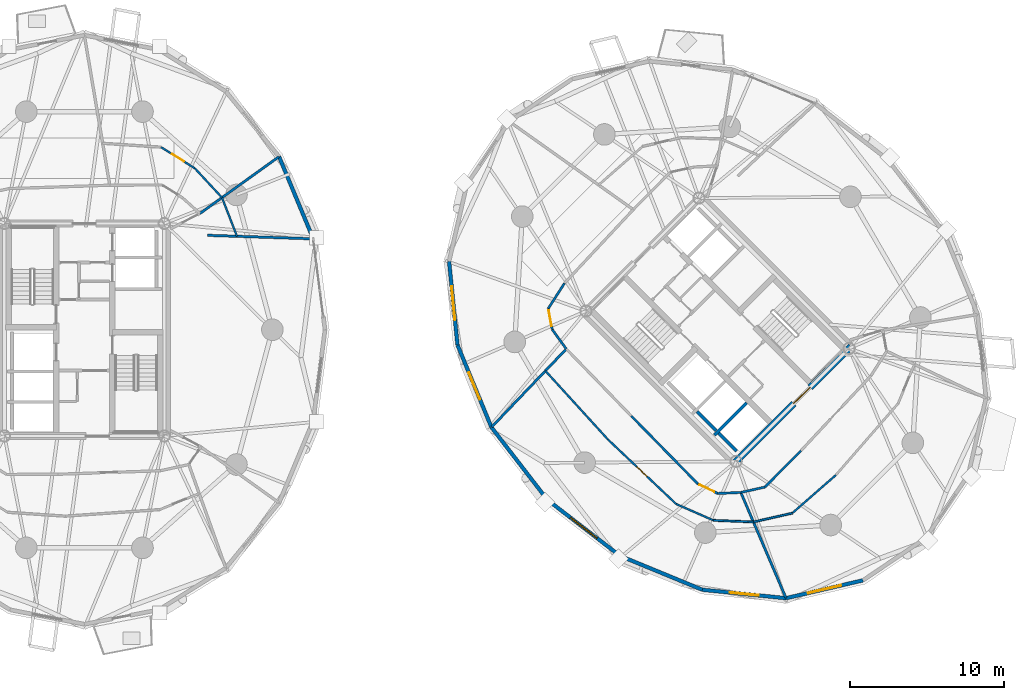
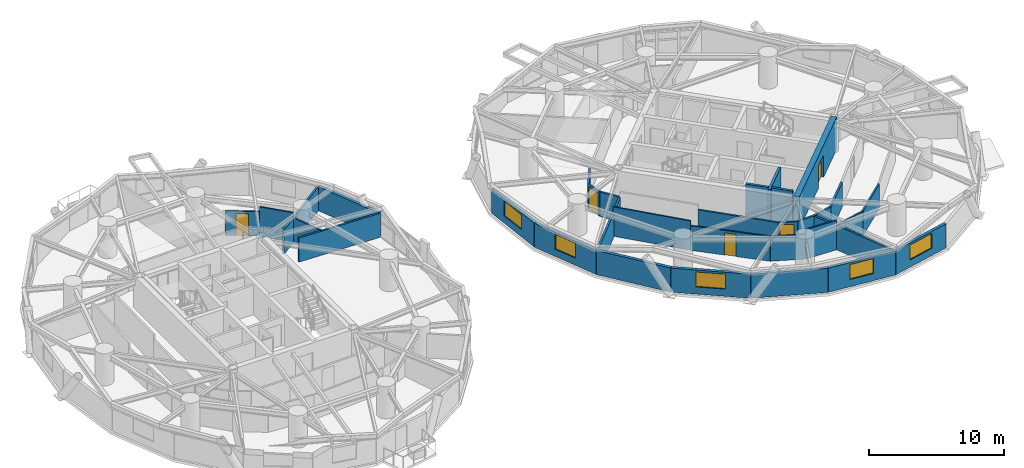
# One storey, part 12 of 18: 33 walls, 5 doors, 5 windows, 10 openings.
"""IFC4 building model written with IfcOpenShell, lengths in metres."""

from ifc_helpers import new_model, si_unit, direction, frame, frame_2d, origin, place, context, subcontext, project, spatial, rectangle, extrude, source, transform, mapped, material, layer, layer_set, type_object, element, fill, save


model = new_model("IFC4")

# Units and contexts
model_context = context("Model", 3, precision=1e-05, world=origin(), true_north=direction((0.0, 1.0)))
body_context = subcontext(model_context, "Body", "Model", "MODEL_VIEW")
ifc_project = project(units=[si_unit("LENGTHUNIT", "METRE"), si_unit("AREAUNIT", "SQUARE_METRE"), si_unit("VOLUMEUNIT", "CUBIC_METRE"), si_unit("PLANEANGLEUNIT", "RADIAN"), si_unit("MASSUNIT", "GRAM", prefix="KILO")], contexts=[model_context])

# Site, building, storey
site_placement = place(None, origin())
site = spatial("IfcSite", under=ifc_project, at=site_placement, CompositionType="ELEMENT")
building_placement = place(site_placement, origin())
building = spatial("IfcBuilding", under=site, at=building_placement, Name="Cununo Teusaquillo Station Towers", CompositionType="ELEMENT")
storey_placement = place(building_placement, frame((0.0, 0.0, 110.889892578125)))
storey = spatial("IfcBuildingStorey", under=building, at=storey_placement, Name="L35", CompositionType="ELEMENT", Elevation=110.889892578125)

# Walls
ifc_material_1 = material(Name="Concrete C50/60", Category="concrete")
ifc_layer_1 = layer(ifc_material_1, 0.199951171875)
ifc_layer_set_1 = layer_set([ifc_layer_1], Name="Concrete C50/60")
wall_type_1 = type_object("IfcWallType", Name="WL-CORE-200", PredefinedType="SHEAR", material=ifc_layer_set_1)
wall_1_placement = place(storey_placement, frame((57.2841796875, 17.6728515625, 0.0), z_axis=(0.0, 0.0, 1.0), x_axis=(0.707147878904, 0.70706568108, 0.0)))
element("IfcWall", 1, at=wall_1_placement, inside=storey, type_object=wall_type_1, Name="L35 Tower B High-Rise Lift Hoistway Divider Shear Wall", PredefinedType="SHEAR", context=body_context, shape_type="SweptSolid", body=[
    extrude(rectangle(XDim=2.97021484375, YDim=0.199951171875, at=frame_2d((1.485107421875, 0.0))), origin(), (0.0, 0.0, 1.0), 2.91015625),
])
wall_2_placement = place(storey_placement, frame((57.41162109375, 17.969970703125, 0.0), z_axis=(0.0, 0.0, 1.0), x_axis=(-0.707106781187, 0.707106781187, 0.0)))
element("IfcWall", 2, at=wall_2_placement, inside=storey, type_object=wall_type_1, Name="L35 Tower B High-Rise Lift 2 Shaft Rear Shear Wall", PredefinedType="SHEAR", context=body_context, shape_type="SweptSolid", body=[
    extrude(rectangle(XDim=1.73486328125, YDim=0.199951171875, at=frame_2d((0.867431640625, 0.0))), origin(), (0.0, 0.0, 1.0), 2.91015625),
])
wall_3_placement = place(storey_placement, frame((58.7373046875, 16.64404296875, 0.0), z_axis=(0.0, 0.0, 1.0), x_axis=(-0.707032117043, 0.707181437447, 0.0)))
element("IfcWall", 3, at=wall_3_placement, inside=storey, type_object=wall_type_1, Name="L35 Tower B High-Rise Lift 1 Shaft Rear Shear Wall", PredefinedType="SHEAR", context=body_context, shape_type="SweptSolid", body=[
    extrude(rectangle(XDim=1.635009765625, YDim=0.199951171875, at=frame_2d((0.8173828125, 0.0))), origin(), (0.0, 0.0, 1.0), 2.91015625),
])

# Wall, opening, door
ifc_material_2 = material(Name="Concrete C60/75", Category="concrete")
ifc_layer_2 = layer(ifc_material_2, 0.449951171875)
ifc_layer_set_2 = layer_set([ifc_layer_2], Name="Concrete C60/75")
wall_type_2 = type_object("IfcWallType", Name="WL-CORE-450", PredefinedType="SHEAR", material=ifc_layer_set_2)
wall_4_placement = place(storey_placement, frame((58.578369140625, 15.855712890625, 0.0), z_axis=(0.0, 0.0, 1.0), x_axis=(0.707106781187, 0.707106781187, 0.0)))
wall_4 = element("IfcWall", 4, at=wall_4_placement, inside=storey, type_object=wall_type_2, Name="L35 Tower B Core Shear Wall S", PredefinedType="SHEAR", context=body_context, shape_type="SweptSolid", body=[
    extrude(rectangle(XDim=10.69970703125, YDim=0.449951171875, at=frame_2d((5.349853515625, 0.0))), origin(), (0.0, 0.0, 1.0), 2.91015625),
])
shared_shape_1 = source(origin(), body_context, "Body", "SweptSolid", [
    extrude(rectangle(XDim=1.5, YDim=2.02001953125, at=frame_2d((0.75, 1.010009765625))), frame((0.0, 0.23486328125, 0.0), z_axis=(0.0, -1.0, 0.0), x_axis=(1.0, 0.0, 0.0)), (0.0, 0.0, 1.0), 0.469970703125),
])
opening_1_placement = place(wall_4_placement, frame((5.449951171875, 0.0, 0.0)))
opening_1 = element("IfcOpeningElement", 5, at=opening_1_placement, cuts=wall_4, Name="Opening D-LB1", PredefinedType="OPENING", context=body_context, shape_type="MappedRepresentation", body=[
    mapped(shared_shape_1, transform((0.0, 0.0, 0.0), x_axis=(1.0, 0.0, 0.0), y_axis=(0.0, 1.0, 0.0), z_axis=(0.0, 0.0, 1.0), scale=1.0)),
])
ifc_material_3 = material(Name="Galvanised fire-rated hollow steel door assembly", Category="steel")
door_type_1 = type_object("IfcDoorType", Name="DR-LOBBY-1500", OperationType="DOUBLE_DOOR_SINGLE_SWING", PredefinedType="DOOR", material=ifc_material_3)
shared_shape_2 = source(origin(), body_context, "Body", "SweptSolid", [
    extrude(rectangle(XDim=1.5, YDim=2.02001953125, at=frame_2d((0.75, 1.010009765625))), frame((0.0, 0.02490234375, 0.0), z_axis=(0.0, -1.0, 0.0), x_axis=(1.0, 0.0, 0.0)), (0.0, 0.0, 1.0), 0.050048828125),
])
door_1_placement = place(opening_1_placement, origin())
door_1 = element("IfcDoor", 6, at=door_1_placement, inside=storey, type_object=door_type_1, Name="L35 Tower B South Core Lift Lobby Door", OperationType="DOUBLE_DOOR_SINGLE_SWING", OverallHeight=2.02001953125, OverallWidth=1.5, PredefinedType="DOOR", context=body_context, shape_type="MappedRepresentation", body=[
    mapped(shared_shape_2, transform((0.0, 0.0, 0.0), x_axis=(1.0, 0.0, 0.0), y_axis=(0.0, 1.0, 0.0), z_axis=(0.0, 0.0, 1.0), scale=1.0)),
])
fill(opening_1, door_1)

# Wall
ifc_material_4 = material(Name="Precast concrete C40/50", Category="concrete")
ifc_layer_3 = layer(ifc_material_4, 0.239990234375)
ifc_layer_set_3 = layer_set([ifc_layer_3], Name="Precast concrete C40/50")
wall_type_3 = type_object("IfcWallType", Name="WL-EXT-240", PredefinedType="SOLIDWALL", material=ifc_layer_set_3)
wall_5_placement = place(storey_placement, frame((29.105224609375, 35.708984375, 0.0), z_axis=(0.0, 0.0, 1.0), x_axis=(0.384344417632, -0.923189779317, 0.0)))
element("IfcWall", 7, at=wall_5_placement, inside=storey, type_object=wall_type_3, Name="L35 Tower A Exterior Facade Wall C01", PredefinedType="SOLIDWALL", context=body_context, shape_type="SweptSolid", body=[
    extrude(rectangle(XDim=5.75830078125, YDim=0.239990234375, at=frame_2d((2.879150390625, 0.0))), origin(), (0.0, 0.0, 1.0), 2.17919921875),
])

# Wall, opening, window
wall_6_placement = place(storey_placement, frame((40.66064453125, 23.5126953125, 0.0), z_axis=(0.0, 0.0, 1.0), x_axis=(-0.10015591906, 0.994971754311, 0.0)))
wall_6 = element("IfcWall", 8, at=wall_6_placement, inside=storey, type_object=wall_type_3, Name="L35 Tower B Exterior Facade Wall C07", PredefinedType="SOLIDWALL", context=body_context, shape_type="SweptSolid", body=[
    extrude(rectangle(XDim=5.447998046875, YDim=0.239990234375, at=frame_2d((2.72412109375, 0.0))), origin(), (0.0, 0.0, 1.0), 2.17919921875),
])
shared_shape_3 = source(origin(), body_context, "Body", "SweptSolid", [
    extrude(rectangle(XDim=2.199951171875, YDim=1.35009765625, at=frame_2d((1.10009765625, 0.675048828125))), frame((0.0, 0.1298828125, 0.0), z_axis=(0.0, -1.0, 0.0), x_axis=(1.0, 0.0, 0.0)), (0.0, 0.0, 1.0), 0.260009765625),
])
opening_2_placement = place(wall_6_placement, frame((1.6240234375, 0.0, 0.64990234375)))
opening_2 = element("IfcOpeningElement", 9, at=opening_2_placement, cuts=wall_6, Name="Opening WN-01", PredefinedType="OPENING", context=body_context, shape_type="MappedRepresentation", body=[
    mapped(shared_shape_3, transform((0.0, 0.0, 0.0), x_axis=(1.0, 0.0, 0.0), y_axis=(0.0, 1.0, 0.0), z_axis=(0.0, 0.0, 1.0), scale=1.0)),
])
ifc_material_5 = material(Name="Ceramic-fritted dark low-E double glazing", Category="glass")
window_type_1 = type_object("IfcWindowType", Name="WIN-FRIT-2200", PartitioningType="DOUBLE_PANEL_VERTICAL", PredefinedType="WINDOW", material=ifc_material_5)
shared_shape_4 = source(origin(), body_context, "Body", "SweptSolid", [
    extrude(rectangle(XDim=2.199951171875, YDim=1.35009765625, at=frame_2d((1.10009765625, 0.675048828125))), frame((0.0, 0.030029296875, 0.0), z_axis=(0.0, -1.0, 0.0), x_axis=(1.0, 0.0, 0.0)), (0.0, 0.0, 1.0), 0.06005859375),
])
window_1_placement = place(opening_2_placement, origin())
window_1 = element("IfcWindow", 10, at=window_1_placement, inside=storey, type_object=window_type_1, Name="L35 Tower B Facade Window C07", OverallHeight=1.35009765625, OverallWidth=2.199951171875, PartitioningType="DOUBLE_PANEL_VERTICAL", PredefinedType="WINDOW", context=body_context, shape_type="MappedRepresentation", body=[
    mapped(shared_shape_4, transform((0.0, 0.0, 0.0), x_axis=(1.0, 0.0, 0.0), y_axis=(0.0, 1.0, 0.0), z_axis=(0.0, 0.0, 1.0), scale=1.0)),
])
fill(opening_2, window_1)

wall_7_placement = place(storey_placement, frame((42.854736328125, 18.188720703125, 0.0), z_axis=(0.0, 0.0, 1.0), x_axis=(-0.381027003055, 0.924563909604, 0.0)))
wall_7 = element("IfcWall", 11, at=wall_7_placement, inside=storey, type_object=wall_type_3, Name="L35 Tower B Exterior Facade Wall C08", PredefinedType="SOLIDWALL", context=body_context, shape_type="SweptSolid", body=[
    extrude(rectangle(XDim=5.75830078125, YDim=0.239990234375, at=frame_2d((2.879150390625, 0.0))), origin(), (0.0, 0.0, 1.0), 2.17919921875),
])
shared_shape_5 = source(origin(), body_context, "Body", "SweptSolid", [
    extrude(rectangle(XDim=1.89990234375, YDim=1.35009765625, at=frame_2d((0.949951171875, 0.675048828125))), frame((0.0, 0.1298828125, 0.0), z_axis=(0.0, -1.0, 0.0), x_axis=(1.0, 0.0, 0.0)), (0.0, 0.0, 1.0), 0.260009765625),
])
opening_3_placement = place(wall_7_placement, frame((1.928955078125, 0.0, 0.64990234375)))
opening_3 = element("IfcOpeningElement", 12, at=opening_3_placement, cuts=wall_7, Name="Opening WN-02", PredefinedType="OPENING", context=body_context, shape_type="MappedRepresentation", body=[
    mapped(shared_shape_5, transform((0.0, 0.0, 0.0), x_axis=(1.0, 0.0, 0.0), y_axis=(0.0, 1.0, 0.0), z_axis=(0.0, 0.0, 1.0), scale=1.0)),
])
ifc_material_6 = material(Name="Operable acoustic tinted low-E double glazing", Category="glass")
window_type_2 = type_object("IfcWindowType", Name="WIN-OPER-1900", PartitioningType="DOUBLE_PANEL_VERTICAL", PredefinedType="WINDOW", material=ifc_material_6)
shared_shape_6 = source(origin(), body_context, "Body", "SweptSolid", [
    extrude(rectangle(XDim=1.89990234375, YDim=1.35009765625, at=frame_2d((0.949951171875, 0.675048828125))), frame((0.0, 0.030029296875, 0.0), z_axis=(0.0, -1.0, 0.0), x_axis=(1.0, 0.0, 0.0)), (0.0, 0.0, 1.0), 0.06005859375),
])
window_2_placement = place(opening_3_placement, origin())
window_2 = element("IfcWindow", 13, at=window_2_placement, inside=storey, type_object=window_type_2, Name="L35 Tower B Facade Window C08", OverallHeight=1.35009765625, OverallWidth=1.89990234375, PartitioningType="DOUBLE_PANEL_VERTICAL", PredefinedType="WINDOW", context=body_context, shape_type="MappedRepresentation", body=[
    mapped(shared_shape_6, transform((0.0, 0.0, 0.0), x_axis=(1.0, 0.0, 0.0), y_axis=(0.0, 1.0, 0.0), z_axis=(0.0, 0.0, 1.0), scale=1.0)),
])
fill(opening_3, window_2)

# Wall
wall_8_placement = place(storey_placement, frame((46.482666015625, 13.482666015625, 0.0), z_axis=(0.0, 0.0, 1.0), x_axis=(-0.61054437102, 0.791982052206, 0.0)))
element("IfcWall", 14, at=wall_8_placement, inside=storey, type_object=wall_type_3, Name="L35 Tower B Exterior Facade Wall C09", PredefinedType="SOLIDWALL", context=body_context, shape_type="SweptSolid", body=[
    extrude(rectangle(XDim=5.942138671875, YDim=0.239990234375, at=frame_2d((2.97119140625, 0.0))), origin(), (0.0, 0.0, 1.0), 2.17919921875),
])

# Wall, opening, window
wall_9_placement = place(storey_placement, frame((51.188720703125, 9.854736328125, 0.0), z_axis=(0.0, 0.0, 1.0), x_axis=(-0.791982052206, 0.61054437102, 0.0)))
wall_9 = element("IfcWall", 15, at=wall_9_placement, inside=storey, type_object=wall_type_3, Name="L35 Tower B Exterior Facade Wall C10", PredefinedType="SOLIDWALL", context=body_context, shape_type="SweptSolid", body=[
    extrude(rectangle(XDim=5.942138671875, YDim=0.239990234375, at=frame_2d((2.97119140625, 0.0))), origin(), (0.0, 0.0, 1.0), 2.17919921875),
])
opening_4_placement = place(wall_9_placement, frame((1.87109375, 0.0, 0.64990234375)))
opening_4 = element("IfcOpeningElement", 16, at=opening_4_placement, cuts=wall_9, Name="Opening WN-01", PredefinedType="OPENING", context=body_context, shape_type="MappedRepresentation", body=[
    mapped(shared_shape_3, transform((0.0, 0.0, 0.0), x_axis=(1.0, 0.0, 0.0), y_axis=(0.0, 1.0, 0.0), z_axis=(0.0, 0.0, 1.0), scale=1.0)),
])
window_3_placement = place(opening_4_placement, origin())
window_3 = element("IfcWindow", 17, at=window_3_placement, inside=storey, type_object=window_type_1, Name="L35 Tower B Facade Window C10", OverallHeight=1.35009765625, OverallWidth=2.199951171875, PartitioningType="DOUBLE_PANEL_VERTICAL", PredefinedType="WINDOW", context=body_context, shape_type="MappedRepresentation", body=[
    mapped(shared_shape_4, transform((0.0, 0.0, 0.0), x_axis=(1.0, 0.0, 0.0), y_axis=(0.0, 1.0, 0.0), z_axis=(0.0, 0.0, 1.0), scale=1.0)),
])
fill(opening_4, window_3)

# Wall
wall_10_placement = place(storey_placement, frame((56.5126953125, 7.66064453125, 0.0), z_axis=(0.0, 0.0, 1.0), x_axis=(-0.924563909604, 0.381027003055, 0.0)))
element("IfcWall", 18, at=wall_10_placement, inside=storey, type_object=wall_type_3, Name="L35 Tower B Exterior Facade Wall C11", PredefinedType="SOLIDWALL", context=body_context, shape_type="SweptSolid", body=[
    extrude(rectangle(XDim=5.75830078125, YDim=0.239990234375, at=frame_2d((2.879150390625, 0.0))), origin(), (0.0, 0.0, 1.0), 2.17919921875),
])

# Wall, opening, window
wall_11_placement = place(storey_placement, frame((61.933349609375, 7.114990234375, 0.0), z_axis=(0.0, 0.0, 1.0), x_axis=(-0.994971754311, 0.10015591906, 0.0)))
wall_11 = element("IfcWall", 19, at=wall_11_placement, inside=storey, type_object=wall_type_3, Name="L35 Tower B Exterior Facade Wall C12", PredefinedType="SOLIDWALL", context=body_context, shape_type="SweptSolid", body=[
    extrude(rectangle(XDim=5.447998046875, YDim=0.239990234375, at=frame_2d((2.72412109375, 0.0))), origin(), (0.0, 0.0, 1.0), 2.17919921875),
])
opening_5_placement = place(wall_11_placement, frame((1.77392578125, 0.0, 0.64990234375)))
opening_5 = element("IfcOpeningElement", 20, at=opening_5_placement, cuts=wall_11, Name="Opening WN-02", PredefinedType="OPENING", context=body_context, shape_type="MappedRepresentation", body=[
    mapped(shared_shape_5, transform((0.0, 0.0, 0.0), x_axis=(1.0, 0.0, 0.0), y_axis=(0.0, 1.0, 0.0), z_axis=(0.0, 0.0, 1.0), scale=1.0)),
])
window_4_placement = place(opening_5_placement, origin())
window_4 = element("IfcWindow", 21, at=window_4_placement, inside=storey, type_object=window_type_2, Name="L35 Tower B Facade Window C12", OverallHeight=1.35009765625, OverallWidth=1.89990234375, PartitioningType="DOUBLE_PANEL_VERTICAL", PredefinedType="WINDOW", context=body_context, shape_type="MappedRepresentation", body=[
    mapped(shared_shape_6, transform((0.0, 0.0, 0.0), x_axis=(1.0, 0.0, 0.0), y_axis=(0.0, 1.0, 0.0), z_axis=(0.0, 0.0, 1.0), scale=1.0)),
])
fill(opening_5, window_4)

wall_12_placement = place(storey_placement, frame((66.919921875, 8.27099609375, 0.0), z_axis=(0.0, 0.0, 1.0), x_axis=(-0.974165631126, -0.225834725257, 0.0)))
wall_12 = element("IfcWall", 22, at=wall_12_placement, inside=storey, type_object=wall_type_3, Name="L35 Tower B Exterior Facade Wall C13", PredefinedType="SOLIDWALL", context=body_context, shape_type="SweptSolid", body=[
    extrude(rectangle(XDim=5.118896484375, YDim=0.239990234375, at=frame_2d((2.5595703125, 0.0))), origin(), (0.0, 0.0, 1.0), 2.17919921875),
])
opening_6_placement = place(wall_12_placement, frame((1.458984375, 0.0, 0.64990234375)))
opening_6 = element("IfcOpeningElement", 23, at=opening_6_placement, cuts=wall_12, Name="Opening WN-01", PredefinedType="OPENING", context=body_context, shape_type="MappedRepresentation", body=[
    mapped(shared_shape_3, transform((0.0, 0.0, 0.0), x_axis=(1.0, 0.0, 0.0), y_axis=(0.0, 1.0, 0.0), z_axis=(0.0, 0.0, 1.0), scale=1.0)),
])
window_5_placement = place(opening_6_placement, origin())
window_5 = element("IfcWindow", 24, at=window_5_placement, inside=storey, type_object=window_type_1, Name="L35 Tower B Facade Window C13", OverallHeight=1.35009765625, OverallWidth=2.199951171875, PartitioningType="DOUBLE_PANEL_VERTICAL", PredefinedType="WINDOW", context=body_context, shape_type="MappedRepresentation", body=[
    mapped(shared_shape_4, transform((0.0, 0.0, 0.0), x_axis=(1.0, 0.0, 0.0), y_axis=(0.0, 1.0, 0.0), z_axis=(0.0, 0.0, 1.0), scale=1.0)),
])
fill(opening_6, window_5)

# Walls
ifc_material_7 = material(Name="Fire-rated gypsum plasterboard partition assembly", Category="gypsum")
ifc_layer_4 = layer(ifc_material_7, 0.125)
ifc_layer_set_4 = layer_set([ifc_layer_4], Name="Fire-rated gypsum plasterboard partition assembly")
wall_type_4 = type_object("IfcWallType", Name="WL-PART-125", PredefinedType="PARTITIONING", material=ifc_layer_set_4)
wall_13_placement = place(storey_placement, frame((26.381591796875, 30.550537109375, 0.0), z_axis=(0.0, 0.0, 1.0), x_axis=(-0.361621391028, 0.932325034283, 0.0)))
element("IfcWall", 25, at=wall_13_placement, inside=storey, type_object=wall_type_4, Name="L35 Tower A Consular Reception Salon Concentric Partition Wall C01", PredefinedType="PARTITIONING", context=body_context, shape_type="SweptSolid", body=[
    extrude(rectangle(XDim=2.685546875, YDim=0.125, at=frame_2d((1.3427734375, 0.0))), origin(), (0.0, 0.0, 1.0), 2.22509765625),
])
wall_14_placement = place(storey_placement, frame((25.410400390625, 33.054443359375, 0.0), z_axis=(0.0, 0.0, 1.0), x_axis=(-0.679733694606, 0.73345899982, 0.0)))
element("IfcWall", 26, at=wall_14_placement, inside=storey, type_object=wall_type_4, Name="L35 Tower A Consular Reception Salon Concentric Partition Wall C02", PredefinedType="PARTITIONING", context=body_context, shape_type="SweptSolid", body=[
    extrude(rectangle(XDim=2.585693359375, YDim=0.125, at=frame_2d((1.29296875, 0.0))), origin(), (0.0, 0.0, 1.0), 2.655029296875),
])

# Wall, opening, door
wall_15_placement = place(storey_placement, frame((23.65283203125, 34.950927734375, 0.0), z_axis=(0.0, 0.0, 1.0), x_axis=(-0.847306782665, 0.531103771452, 0.0)))
wall_15 = element("IfcWall", 27, at=wall_15_placement, inside=storey, type_object=wall_type_4, Name="L35 Tower A Consular Reception Salon Concentric Partition Wall C03", PredefinedType="PARTITIONING", context=body_context, shape_type="SweptSolid", body=[
    extrude(rectangle(XDim=2.5810546875, YDim=0.125, at=frame_2d((1.29052734375, 0.0))), origin(), (0.0, 0.0, 1.0), 2.22509765625),
])
shared_shape_7 = source(origin(), body_context, "Body", "SweptSolid", [
    extrude(rectangle(XDim=0.89990234375, YDim=2.0048828125, at=frame_2d((0.449951171875, 1.00244140625))), frame((0.0, 0.072509765625, 0.0), z_axis=(0.0, -1.0, 0.0), x_axis=(1.0, 0.0, 0.0)), (0.0, 0.0, 1.0), 0.14501953125),
])
opening_7_placement = place(wall_15_placement, frame((0.840576171875, 0.0, 0.0)))
opening_7 = element("IfcOpeningElement", 28, at=opening_7_placement, cuts=wall_15, Name="Opening D-IN1", PredefinedType="OPENING", context=body_context, shape_type="MappedRepresentation", body=[
    mapped(shared_shape_7, transform((0.0, 0.0, 0.0), x_axis=(1.0, 0.0, 0.0), y_axis=(0.0, 1.0, 0.0), z_axis=(0.0, 0.0, 1.0), scale=1.0)),
])
ifc_material_8 = material(Name="Acoustic solid-core hardwood leaf assembly", Category="wood")
door_type_2 = type_object("IfcDoorType", Name="DR-INT-900", OperationType="NOTDEFINED", PredefinedType="DOOR", material=ifc_material_8)
shared_shape_8 = source(origin(), body_context, "Body", "SweptSolid", [
    extrude(rectangle(XDim=0.89990234375, YDim=2.0048828125, at=frame_2d((0.449951171875, 1.00244140625))), frame((0.0, 0.02490234375, 0.0), z_axis=(0.0, -1.0, 0.0), x_axis=(1.0, 0.0, 0.0)), (0.0, 0.0, 1.0), 0.050048828125),
])
door_2_placement = place(opening_7_placement, origin())
door_2 = element("IfcDoor", 29, at=door_2_placement, inside=storey, type_object=door_type_2, Name="L35 Tower A Consular Reception Salon Connecting Door", OperationType="SINGLE_SWING_RIGHT", OverallHeight=2.0048828125, OverallWidth=0.89990234375, PredefinedType="DOOR", context=body_context, shape_type="MappedRepresentation", body=[
    mapped(shared_shape_8, transform((0.0, 0.0, 0.0), x_axis=(1.0, 0.0, 0.0), y_axis=(0.0, 1.0, 0.0), z_axis=(0.0, 0.0, 1.0), scale=1.0)),
])
fill(opening_7, door_2)

# Wall
wall_16_placement = place(storey_placement, frame((46.352294921875, 21.837646484375, 0.0), z_axis=(0.0, 0.0, 1.0), x_axis=(0.673416949194, -0.739262884594, 0.0)))
element("IfcWall", 30, at=wall_16_placement, inside=storey, type_object=wall_type_4, Name="L35 Tower B Ambassadorial Executive Office Concentric Partition Wall C09", PredefinedType="PARTITIONING", context=body_context, shape_type="SweptSolid", body=[
    extrude(rectangle(XDim=6.006591796875, YDim=0.125, at=frame_2d((3.00341796875, 0.0))), origin(), (0.0, 0.0, 1.0), 2.655029296875),
])

# Wall, opening, door
wall_17_placement = place(storey_placement, frame((50.397216796875, 17.397216796875, 0.0), z_axis=(0.0, 0.0, 1.0), x_axis=(0.726427828833, -0.687242758781, 0.0)))
wall_17 = element("IfcWall", 31, at=wall_17_placement, inside=storey, type_object=wall_type_4, Name="L35 Tower B Ambassadorial Executive Office Concentric Partition Wall C10", PredefinedType="PARTITIONING", context=body_context, shape_type="SweptSolid", body=[
    extrude(rectangle(XDim=6.087158203125, YDim=0.125, at=frame_2d((3.04345703125, 0.0))), origin(), (0.0, 0.0, 1.0), 2.22509765625),
])
opening_8_placement = place(wall_17_placement, frame((2.593505859375, 0.0, 0.0)))
opening_8 = element("IfcOpeningElement", 32, at=opening_8_placement, cuts=wall_17, Name="Opening D-IN1", PredefinedType="OPENING", context=body_context, shape_type="MappedRepresentation", body=[
    mapped(shared_shape_7, transform((0.0, 0.0, 0.0), x_axis=(1.0, 0.0, 0.0), y_axis=(0.0, 1.0, 0.0), z_axis=(0.0, 0.0, 1.0), scale=1.0)),
])
door_3_placement = place(opening_8_placement, origin())
door_3 = element("IfcDoor", 33, at=door_3_placement, inside=storey, type_object=door_type_2, Name="L35 Tower B Ambassadorial Executive Office Connecting Door", OperationType="SINGLE_SWING_RIGHT", OverallHeight=2.0048828125, OverallWidth=0.89990234375, PredefinedType="DOOR", context=body_context, shape_type="MappedRepresentation", body=[
    mapped(shared_shape_8, transform((0.0, 0.0, 0.0), x_axis=(1.0, 0.0, 0.0), y_axis=(0.0, 1.0, 0.0), z_axis=(0.0, 0.0, 1.0), scale=1.0)),
])
fill(opening_8, door_3)

# Walls
wall_18_placement = place(storey_placement, frame((54.819091796875, 13.2138671875, 0.0), z_axis=(0.0, 0.0, 1.0), x_axis=(0.915889218912, -0.401431113245, 0.0)))
element("IfcWall", 34, at=wall_18_placement, inside=storey, type_object=wall_type_4, Name="L35 Tower B Ambassadorial Executive Office Concentric Partition Wall C11", PredefinedType="PARTITIONING", context=body_context, shape_type="SweptSolid", body=[
    extrude(rectangle(XDim=2.63525390625, YDim=0.125, at=frame_2d((1.317626953125, 0.0))), origin(), (0.0, 0.0, 1.0), 2.22509765625),
])
wall_19_placement = place(storey_placement, frame((57.232666015625, 12.156005859375, 0.0), z_axis=(0.0, 0.0, 1.0), x_axis=(0.999181916557, -0.040441286156, 0.0)))
element("IfcWall", 35, at=wall_19_placement, inside=storey, type_object=wall_type_4, Name="L35 Tower B Ambassadorial Executive Office Concentric Partition Wall C12", PredefinedType="PARTITIONING", context=body_context, shape_type="SweptSolid", body=[
    extrude(rectangle(XDim=2.595947265625, YDim=0.125, at=frame_2d((1.2978515625, 0.0))), origin(), (0.0, 0.0, 1.0), 2.655029296875),
])
wall_20_placement = place(storey_placement, frame((59.826416015625, 12.051025390625, 0.0), z_axis=(0.0, 0.0, 1.0), x_axis=(0.975009915085, 0.222161350116, 0.0)))
element("IfcWall", 36, at=wall_20_placement, inside=storey, type_object=wall_type_4, Name="L35 Tower B Cultural Attache Workplace Concentric Partition Wall C13", PredefinedType="PARTITIONING", context=body_context, shape_type="SweptSolid", body=[
    extrude(rectangle(XDim=2.578125, YDim=0.125, at=frame_2d((1.2890625, 0.0))), origin(), (0.0, 0.0, 1.0), 2.22509765625),
])
wall_21_placement = place(storey_placement, frame((62.340087890625, 12.623779296875, 0.0), z_axis=(0.0, 0.0, 1.0), x_axis=(0.753169839919, 0.657826110941, 0.0)))
element("IfcWall", 37, at=wall_21_placement, inside=storey, type_object=wall_type_4, Name="L35 Tower B Cultural Attache Workplace Concentric Partition Wall C14", PredefinedType="PARTITIONING", context=body_context, shape_type="SweptSolid", body=[
    extrude(rectangle(XDim=3.74609375, YDim=0.125, at=frame_2d((1.873046875, 0.0))), origin(), (0.0, 0.0, 1.0), 2.22509765625),
])
ifc_material_9 = material(Name="Fire-rated gypsum plasterboard partition assembly", Category="gypsum")
ifc_layer_5 = layer(ifc_material_9, 0.14990234375)
ifc_layer_set_5 = layer_set([ifc_layer_5], Name="Fire-rated gypsum plasterboard partition assembly")
wall_type_5 = type_object("IfcWallType", Name="WL-PART-150", PredefinedType="PARTITIONING", material=ifc_layer_set_5)
wall_22_placement = place(storey_placement, frame((47.58837890625, 27.51025390625, 0.0), z_axis=(0.0, 0.0, 1.0), x_axis=(-0.540202619347, -0.841534984449, 0.0)))
element("IfcWall", 38, at=wall_22_placement, inside=storey, type_object=wall_type_5, Name="L35 Tower B Corridor Ring Wall C06", PredefinedType="PARTITIONING", context=body_context, shape_type="SweptSolid", body=[
    extrude(rectangle(XDim=1.934814453125, YDim=0.14990234375, at=frame_2d((0.96728515625, 0.0))), origin(), (0.0, 0.0, 1.0), 2.22509765625),
])

# Wall, opening, door
wall_23_placement = place(storey_placement, frame((46.543212890625, 25.882080078125, 0.0), z_axis=(0.0, 0.0, 1.0), x_axis=(0.181153502579, -0.983454832976, 0.0)))
wall_23 = element("IfcWall", 39, at=wall_23_placement, inside=storey, type_object=wall_type_5, Name="L35 Tower B Corridor Ring Wall C07", PredefinedType="PARTITIONING", context=body_context, shape_type="SweptSolid", body=[
    extrude(rectangle(XDim=1.39208984375, YDim=0.14990234375, at=frame_2d((0.696044921875, 0.0))), origin(), (0.0, 0.0, 1.0), 2.22509765625),
])
shared_shape_9 = source(origin(), body_context, "Body", "SweptSolid", [
    extrude(rectangle(XDim=1.050048828125, YDim=2.014892578125, at=frame_2d((0.52490234375, 1.00732421875))), frame((0.0, 0.0849609375, 0.0), z_axis=(0.0, -1.0, 0.0), x_axis=(1.0, 0.0, 0.0)), (0.0, 0.0, 1.0), 0.169921875),
])
opening_9_placement = place(wall_23_placement, frame((0.1201171875, 0.0, 0.0)))
opening_9 = element("IfcOpeningElement", 40, at=opening_9_placement, cuts=wall_23, Name="Opening D-SU1", PredefinedType="OPENING", context=body_context, shape_type="MappedRepresentation", body=[
    mapped(shared_shape_9, transform((0.0, 0.0, 0.0), x_axis=(1.0, 0.0, 0.0), y_axis=(0.0, 1.0, 0.0), z_axis=(0.0, 0.0, 1.0), scale=1.0)),
])
ifc_material_10 = material(Name="Acoustic solid-core hardwood leaf assembly", Category="wood")
door_type_3 = type_object("IfcDoorType", Name="DR-SUITE-1050", OperationType="NOTDEFINED", PredefinedType="DOOR", material=ifc_material_10)
shared_shape_10 = source(origin(), body_context, "Body", "SweptSolid", [
    extrude(rectangle(XDim=1.050048828125, YDim=2.014892578125, at=frame_2d((0.52490234375, 1.00732421875))), frame((0.0, 0.02490234375, 0.0), z_axis=(0.0, -1.0, 0.0), x_axis=(1.0, 0.0, 0.0)), (0.0, 0.0, 1.0), 0.050048828125),
])
door_4_placement = place(opening_9_placement, origin())
door_4 = element("IfcDoor", 41, at=door_4_placement, inside=storey, type_object=door_type_3, Name="L35 Tower B Bilateral Treaty Conference Room Entrance Door", OperationType="SINGLE_SWING_RIGHT", OverallHeight=2.014892578125, OverallWidth=1.050048828125, PredefinedType="DOOR", context=body_context, shape_type="MappedRepresentation", body=[
    mapped(shared_shape_10, transform((0.0, 0.0, 0.0), x_axis=(1.0, 0.0, 0.0), y_axis=(0.0, 1.0, 0.0), z_axis=(0.0, 0.0, 1.0), scale=1.0)),
])
fill(opening_9, door_4)

# Walls
wall_24_placement = place(storey_placement, frame((46.79541015625, 24.512939453125, 0.0), z_axis=(0.0, 0.0, 1.0), x_axis=(0.585628197524, -0.810579801294, 0.0)))
element("IfcWall", 42, at=wall_24_placement, inside=storey, type_object=wall_type_5, Name="L35 Tower B Corridor Ring Wall C08", PredefinedType="PARTITIONING", context=body_context, shape_type="SweptSolid", body=[
    extrude(rectangle(XDim=1.55419921875, YDim=0.14990234375, at=frame_2d((0.777099609375, 0.0))), origin(), (0.0, 0.0, 1.0), 2.22509765625),
])
wall_25_placement = place(storey_placement, frame((51.913818359375, 18.913818359375, 0.0), z_axis=(0.0, 0.0, 1.0), x_axis=(0.699999313799, -0.714143515465, 0.0)))
element("IfcWall", 43, at=wall_25_placement, inside=storey, type_object=wall_type_5, Name="L35 Tower B Corridor Ring Wall C10", PredefinedType="PARTITIONING", context=body_context, shape_type="SweptSolid", body=[
    extrude(rectangle(XDim=6.162109375, YDim=0.14990234375, at=frame_2d((3.0810546875, 0.0))), origin(), (0.0, 0.0, 1.0), 2.22509765625),
])

# Wall, opening, door
wall_26_placement = place(storey_placement, frame((56.227294921875, 14.51318359375, 0.0), z_axis=(0.0, 0.0, 1.0), x_axis=(0.901477579283, -0.432825801044, 0.0)))
wall_26 = element("IfcWall", 44, at=wall_26_placement, inside=storey, type_object=wall_type_5, Name="L35 Tower B Corridor Ring Wall C11", PredefinedType="PARTITIONING", context=body_context, shape_type="SweptSolid", body=[
    extrude(rectangle(XDim=1.42431640625, YDim=0.14990234375, at=frame_2d((0.712158203125, 0.0))), origin(), (0.0, 0.0, 1.0), 2.22509765625),
])
opening_10_placement = place(wall_26_placement, frame((0.1201171875, 0.0, 0.0)))
opening_10 = element("IfcOpeningElement", 45, at=opening_10_placement, cuts=wall_26, Name="Opening D-SU1", PredefinedType="OPENING", context=body_context, shape_type="MappedRepresentation", body=[
    mapped(shared_shape_9, transform((0.0, 0.0, 0.0), x_axis=(1.0, 0.0, 0.0), y_axis=(0.0, 1.0, 0.0), z_axis=(0.0, 0.0, 1.0), scale=1.0)),
])
door_5_placement = place(opening_10_placement, origin())
door_5 = element("IfcDoor", 46, at=door_5_placement, inside=storey, type_object=door_type_3, Name="L35 Tower B Ambassadorial Executive Office Entrance Door", OperationType="SINGLE_SWING_LEFT", OverallHeight=2.014892578125, OverallWidth=1.050048828125, PredefinedType="DOOR", context=body_context, shape_type="MappedRepresentation", body=[
    mapped(shared_shape_10, transform((0.0, 0.0, 0.0), x_axis=(1.0, 0.0, 0.0), y_axis=(0.0, 1.0, 0.0), z_axis=(0.0, 0.0, 1.0), scale=1.0)),
])
fill(opening_10, door_5)

# Walls
wall_27_placement = place(storey_placement, frame((57.51123046875, 13.896728515625, 0.0), z_axis=(0.0, 0.0, 1.0), x_axis=(0.999024538494, 0.044158481476, 0.0)))
element("IfcWall", 47, at=wall_27_placement, inside=storey, type_object=wall_type_5, Name="L35 Tower B Corridor Ring Wall C12", PredefinedType="PARTITIONING", context=body_context, shape_type="SweptSolid", body=[
    extrude(rectangle(XDim=1.498291015625, YDim=0.14990234375, at=frame_2d((0.7490234375, 0.0))), origin(), (0.0, 0.0, 1.0), 2.22509765625),
])
wall_28_placement = place(storey_placement, frame((59.008056640625, 13.962890625, 0.0), z_axis=(0.0, 0.0, 1.0), x_axis=(0.976020856791, 0.21767702476, 0.0)))
element("IfcWall", 48, at=wall_28_placement, inside=storey, type_object=wall_type_5, Name="L35 Tower B Corridor Ring Wall C13", PredefinedType="PARTITIONING", context=body_context, shape_type="SweptSolid", body=[
    extrude(rectangle(XDim=1.592529296875, YDim=0.14990234375, at=frame_2d((0.79638671875, 0.0))), origin(), (0.0, 0.0, 1.0), 2.22509765625),
])
wall_29_placement = place(storey_placement, frame((60.5625, 14.3095703125, 0.0), z_axis=(0.0, 0.0, 1.0), x_axis=(0.704566236161, 0.709638230975, 0.0)))
element("IfcWall", 49, at=wall_29_placement, inside=storey, type_object=wall_type_5, Name="L35 Tower B Corridor Ring Wall C14", PredefinedType="PARTITIONING", context=body_context, shape_type="SweptSolid", body=[
    extrude(rectangle(XDim=3.3212890625, YDim=0.14990234375, at=frame_2d((1.66064453125, 0.0))), origin(), (0.0, 0.0, 1.0), 2.22509765625),
])
ifc_material_11 = material(Name="Fire-rated gypsum plasterboard partition assembly", Category="gypsum")
ifc_layer_6 = layer(ifc_material_11, 0.159912109375)
ifc_layer_set_6 = layer_set([ifc_layer_6], Name="Fire-rated gypsum plasterboard partition assembly")
wall_type_6 = type_object("IfcWallType", Name="WL-PART-160", PredefinedType="PARTITIONING", material=ifc_layer_set_6)
wall_30_placement = place(storey_placement, frame((24.468994140625, 30.614013671875, 0.0), z_axis=(0.0, 0.0, 1.0), x_axis=(0.999446768925, -0.033258924898, 0.0)))
element("IfcWall", 50, at=wall_30_placement, inside=storey, type_object=wall_type_6, Name="L35 Tower A Radial Suite Partition R01", PredefinedType="PARTITIONING", context=body_context, shape_type="SweptSolid", body=[
    extrude(rectangle(XDim=6.833984375, YDim=0.159912109375, at=frame_2d((3.4169921875, 0.0))), origin(), (0.0, 0.0, 1.0), 2.17919921875),
])
wall_31_placement = place(storey_placement, frame((23.979736328125, 32.02685546875, 0.0), z_axis=(0.0, 0.0, 1.0), x_axis=(0.812162479031, 0.58343132214, 0.0)))
element("IfcWall", 51, at=wall_31_placement, inside=storey, type_object=wall_type_6, Name="L35 Tower A Radial Suite Partition R02", PredefinedType="PARTITIONING", context=body_context, shape_type="SweptSolid", body=[
    extrude(rectangle(XDim=6.291015625, YDim=0.159912109375, at=frame_2d((3.1455078125, 0.0))), origin(), (0.0, 0.0, 1.0), 2.17919921875),
])
wall_32_placement = place(storey_placement, frame((47.70556640625, 23.253173828125, 0.0), z_axis=(0.0, 0.0, 1.0), x_axis=(-0.691027649154, -0.722828325472, 0.0)))
element("IfcWall", 52, at=wall_32_placement, inside=storey, type_object=wall_type_6, Name="L35 Tower B Radial Suite Partition R04", PredefinedType="PARTITIONING", context=body_context, shape_type="SweptSolid", body=[
    extrude(rectangle(XDim=6.993896484375, YDim=0.159912109375, at=frame_2d((3.4970703125, 0.0))), origin(), (0.0, 0.0, 1.0), 2.17919921875),
])
wall_33_placement = place(storey_placement, frame((59.008056640625, 13.962890625, 0.0), z_axis=(0.0, 0.0, 1.0), x_axis=(0.393439207333, -0.919350635032, 0.0)))
element("IfcWall", 53, at=wall_33_placement, inside=storey, type_object=wall_type_6, Name="L35 Tower B Radial Suite Partition R05", PredefinedType="PARTITIONING", context=body_context, shape_type="SweptSolid", body=[
    extrude(rectangle(XDim=7.427001953125, YDim=0.159912109375, at=frame_2d((3.71337890625, 0.0))), origin(), (0.0, 0.0, 1.0), 2.17919921875),
])

save(model, "model.ifc")
